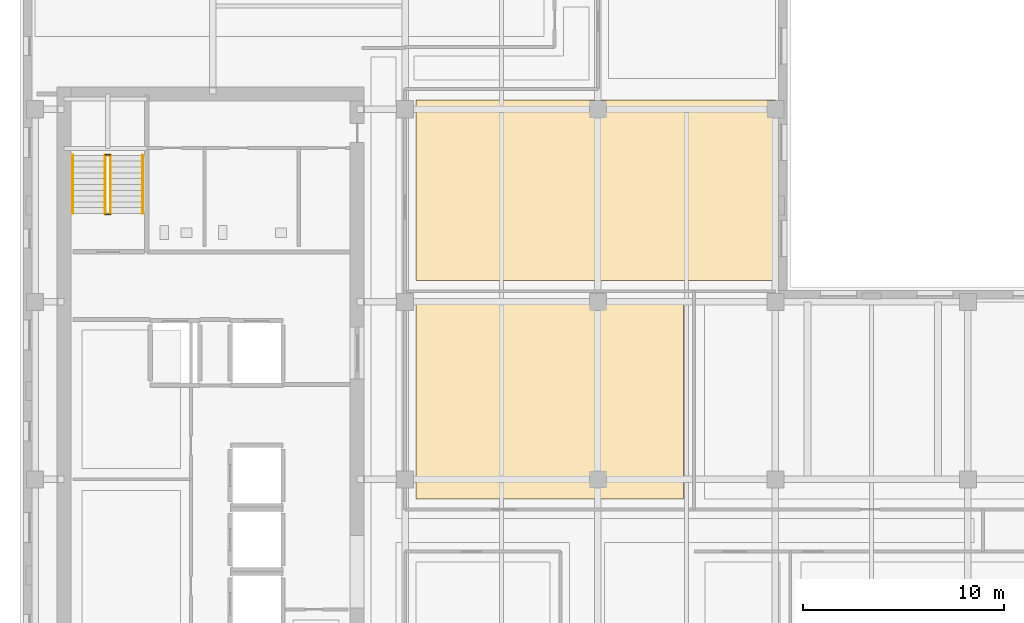
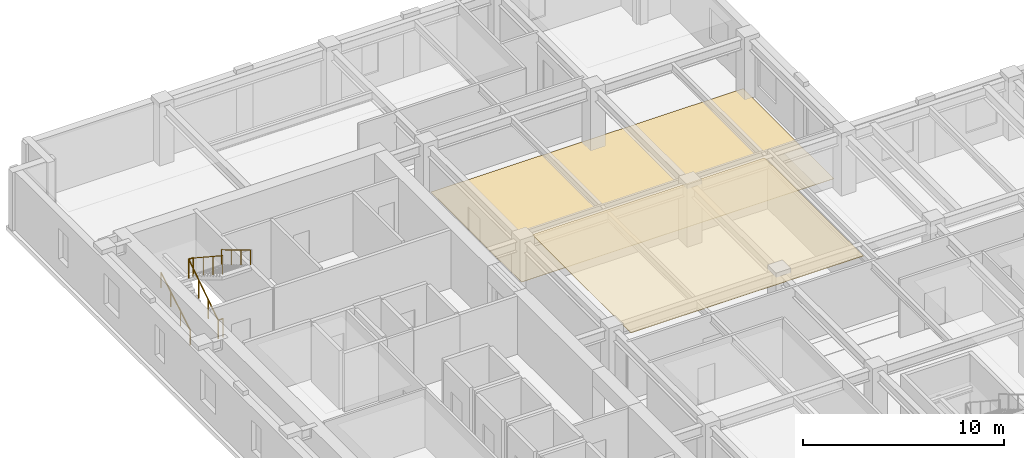
# One storey, part 12 of 14: 6 railings, 2 coverings.
"""IFC4 building model written with IfcOpenShell, lengths in metres."""

from ifc_helpers import new_model, si_unit, direction, frame, origin, origin_2d, place, context, subcontext, project, spatial, polyline, circle, outline, extrude, material, layer, layer_set, type_object, element, save


model = new_model("IFC4")

# Units and contexts
model_context = context("Model", 3, precision=1e-05, world=origin(), true_north=direction((0.0, 1.0)))
body_context = subcontext(model_context, "Body", "Model", "MODEL_VIEW")
ifc_project = project(units=[si_unit("LENGTHUNIT", "METRE"), si_unit("AREAUNIT", "SQUARE_METRE"), si_unit("VOLUMEUNIT", "CUBIC_METRE"), si_unit("PLANEANGLEUNIT", "RADIAN"), si_unit("MASSUNIT", "GRAM", prefix="KILO")], contexts=[model_context])

# Site, building, storey
site_placement = place(None, origin())
site = spatial("IfcSite", under=ifc_project, at=site_placement, CompositionType="ELEMENT")
building_placement = place(site_placement, origin())
building = spatial("IfcBuilding", under=site, at=building_placement, Name="Norrvale University Quadrangle", CompositionType="ELEMENT")
storey_placement = place(building_placement, frame((0.0, 0.0, 218.0)))
storey = spatial("IfcBuildingStorey", under=building, at=storey_placement, Name="L55", CompositionType="ELEMENT", Elevation=218.0)

# Coverings
ifc_material_1 = material(Name="Perforated Acoustic Mineral Ceiling")
ifc_layer_1 = layer(ifc_material_1, 0.02490234375, Name="Perforated Acoustic Mineral Ceiling")
ifc_layer_set_1 = layer_set([ifc_layer_1], Name="Perforated Acoustic Mineral Ceiling")
covering_type_1 = type_object("IfcCoveringType", Name="Covering Acoustic Ceiling 25", PredefinedType="CEILING", material=ifc_layer_set_1)
covering_1_placement = place(storey_placement, frame((0.0, 0.0, 3.514892578125)))
element("IfcCovering", 1, at=covering_1_placement, inside=storey, type_object=covering_type_1, Name="Acoustic Ceiling RM-L55-ME01", PredefinedType="CEILING", context=body_context, shape_type="SweptSolid", body=[
    extrude(outline(polyline([(19.72998046875, 37.64990234375), (33.070068359375, 37.64990234375), (33.070068359375, 27.830078125), (19.72998046875, 27.830078125), (19.72998046875, 37.64990234375)])), origin(), (0.0, 0.0, 1.0), 0.025146484375),
])
ifc_material_2 = material(Name="Polished Terrazzo Flooring")
ifc_layer_2 = layer(ifc_material_2, 0.02490234375, Name="Polished Terrazzo Flooring")
ifc_layer_set_2 = layer_set([ifc_layer_2], Name="Polished Terrazzo Flooring")
covering_type_2 = type_object("IfcCoveringType", Name="Covering Terrazzo Floor 30", PredefinedType="FLOORING", material=ifc_layer_set_2)
covering_2_placement = place(storey_placement, origin())
element("IfcCovering", 2, at=covering_2_placement, inside=storey, type_object=covering_type_2, Name="Terrazzo Flooring RM-L55-MNE01", PredefinedType="FLOORING", context=body_context, shape_type="SweptSolid", body=[
    extrude(outline(polyline([(19.72998046875, 47.719970703125), (37.64990234375, 47.719970703125), (37.64990234375, 38.7099609375), (19.72998046875, 38.7099609375), (19.72998046875, 47.719970703125)])), origin(), (0.0, 0.0, 1.0), 0.02490234375),
])

# Railings
ifc_material_3 = material(Name="Steel 350W Painted Balustrade", Category="steel")
railing_type_1 = type_object("IfcRailingType", Name="Railing Stair Guard 1100", PredefinedType="GUARDRAIL", material=ifc_material_3)
for number, where, name in (
    (3, (4.239990234375, 42.02001953125, 0.0), "Stair Floor Well Guard ST-02 L55"),
    (4, (4.239990234375, 44.97998046875, 1.89990234375), "Stair Mid-Landing Slot Guard ST-02 L55"),
):
    element("IfcRailing", number, at=place(storey_placement, frame(where)), inside=storey, type_object=railing_type_1, Name=name, PredefinedType="GUARDRAIL", context=body_context, shape_type="SweptSolid", body=[
        extrude(circle(Radius=0.02392578125, at=origin_2d()), frame((0.0, 0.0, 1.1259765625), z_axis=(1.0, 0.0, 0.0), x_axis=(0.0, 1.0, 0.0)), (0.0, 0.0, 1.0), 0.27001953125),
        extrude(circle(Radius=0.02099609375, at=origin_2d()), origin(), (0.0, 0.0, 1.0), 1.101806640625),
        extrude(circle(Radius=0.02099609375, at=origin_2d()), frame((0.27001953125, 0.0, 0.0)), (0.0, 0.0, 1.0), 1.101806640625),
    ])
railing_1_placement = place(storey_placement, frame((4.239990234375, 42.050048828125, 0.0)))
element("IfcRailing", 5, at=railing_1_placement, inside=storey, type_object=railing_type_1, Name="Stair Lower Flight Inner Guard ST-02 L55", PredefinedType="GUARDRAIL", context=body_context, shape_type="SweptSolid", body=[
    extrude(circle(Radius=0.02392578125, at=origin_2d()), frame((0.0, 0.0, 1.1259765625), z_axis=(0.0, 0.836465582154, 0.548019461216), x_axis=(-1.0, 0.0, 0.0)), (0.0, 0.0, 1.0), 3.466796875),
    extrude(circle(Radius=0.02099609375, at=origin_2d()), origin(), (0.0, 0.0, 1.0), 1.101806640625),
    extrude(circle(Radius=0.02099609375, at=origin_2d()), frame((0.0, 0.966552734375, 0.63330078125)), (0.0, 0.0, 1.0), 1.101806640625),
    extrude(circle(Radius=0.02099609375, at=origin_2d()), frame((0.0, 1.933349609375, 1.2666015625)), (0.0, 0.0, 1.0), 1.101806640625),
    extrude(circle(Radius=0.02099609375, at=origin_2d()), frame((0.0, 2.89990234375, 1.89990234375)), (0.0, 0.0, 1.0), 1.101806640625),
])
railing_2_placement = place(storey_placement, frame((4.510009765625, 44.949951171875, 1.89990234375)))
element("IfcRailing", 6, at=railing_2_placement, inside=storey, type_object=railing_type_1, Name="Stair Upper Flight Inner Guard ST-02 L55", PredefinedType="GUARDRAIL", context=body_context, shape_type="SweptSolid", body=[
    extrude(circle(Radius=0.02392578125, at=origin_2d()), frame((0.0, 0.0, 1.1259765625), z_axis=(0.0, -0.836433300813, 0.548068730445), x_axis=(1.0, 0.0, 0.0)), (0.0, 0.0, 1.0), 3.467041015625),
    extrude(circle(Radius=0.02099609375, at=origin_2d()), origin(), (0.0, 0.0, 1.0), 1.101806640625),
    extrude(circle(Radius=0.02099609375, at=origin_2d()), frame((0.0, -0.966552734375, 0.63330078125)), (0.0, 0.0, 1.0), 1.101806640625),
    extrude(circle(Radius=0.02099609375, at=origin_2d()), frame((0.0, -1.933349609375, 1.266845703125)), (0.0, 0.0, 1.0), 1.101806640625),
    extrude(circle(Radius=0.02099609375, at=origin_2d()), frame((0.0, -2.89990234375, 1.900146484375)), (0.0, 0.0, 1.0), 1.101806640625),
])
ifc_material_4 = material(Name="Stainless Steel 316L Handrail", Category="steel")
railing_type_2 = type_object("IfcRailingType", Name="Railing Stair Handrail 920", PredefinedType="HANDRAIL", material=ifc_material_4)
railing_3_placement = place(storey_placement, frame((2.639892578125, 42.050048828125, 0.172607421875)))
element("IfcRailing", 7, at=railing_3_placement, inside=storey, type_object=railing_type_2, Name="Stair Lower Flight Handrail ST-02 L55", PredefinedType="HANDRAIL", context=body_context, shape_type="SweptSolid", body=[
    extrude(circle(Radius=0.02392578125, at=origin_2d()), frame((0.0, 0.0, 0.89599609375), z_axis=(0.0, 0.859141464434, 0.511738159696), x_axis=(-1.0, 0.0, 0.0)), (0.0, 0.0, 1.0), 3.375244140625),
    extrude(circle(Radius=0.02099609375, at=origin_2d()), origin(), (0.0, 0.0, 1.0), 0.871826171875),
    extrude(circle(Radius=0.02099609375, at=origin_2d()), frame((0.0, 0.966552734375, 0.57568359375)), (0.0, 0.0, 1.0), 0.871826171875),
    extrude(circle(Radius=0.02099609375, at=origin_2d()), frame((0.0, 1.933349609375, 1.151611328125)), (0.0, 0.0, 1.0), 0.871826171875),
    extrude(circle(Radius=0.02099609375, at=origin_2d()), frame((0.0, 2.89990234375, 1.727294921875)), (0.0, 0.0, 1.0), 0.871826171875),
])
railing_4_placement = place(storey_placement, frame((6.110107421875, 44.949951171875, 2.07275390625)))
element("IfcRailing", 8, at=railing_4_placement, inside=storey, type_object=railing_type_2, Name="Stair Upper Flight Handrail ST-02 L55", PredefinedType="HANDRAIL", context=body_context, shape_type="SweptSolid", body=[
    extrude(circle(Radius=0.02392578125, at=origin_2d()), frame((0.0, 0.0, 0.89599609375), z_axis=(0.0, -0.859141464434, 0.511738159696), x_axis=(1.0, 0.0, 0.0)), (0.0, 0.0, 1.0), 3.375244140625),
    extrude(circle(Radius=0.02099609375, at=origin_2d()), origin(), (0.0, 0.0, 1.0), 0.871826171875),
    extrude(circle(Radius=0.02099609375, at=origin_2d()), frame((0.0, -0.966552734375, 0.57568359375)), (0.0, 0.0, 1.0), 0.871826171875),
    extrude(circle(Radius=0.02099609375, at=origin_2d()), frame((0.0, -1.933349609375, 1.151611328125)), (0.0, 0.0, 1.0), 0.871826171875),
    extrude(circle(Radius=0.02099609375, at=origin_2d()), frame((0.0, -2.89990234375, 1.727294921875)), (0.0, 0.0, 1.0), 0.871826171875),
])

save(model, "model.ifc")
